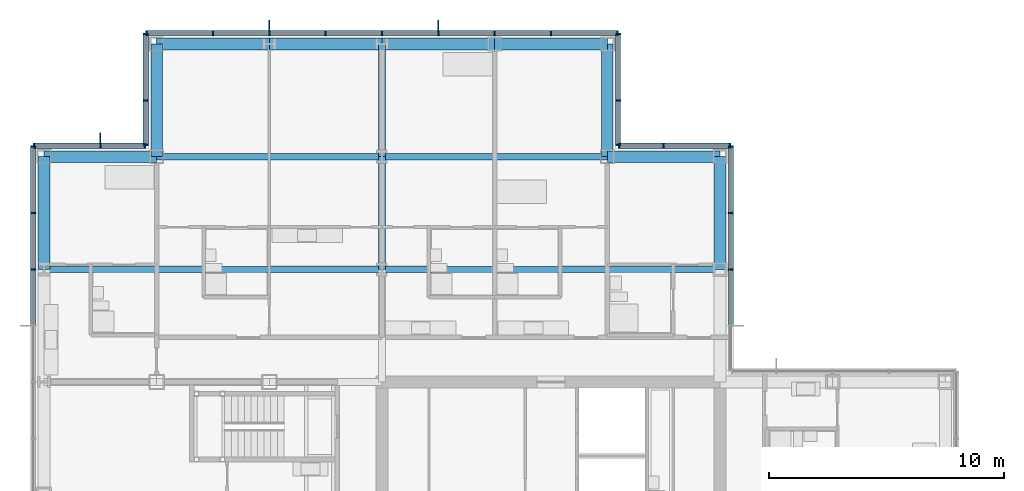
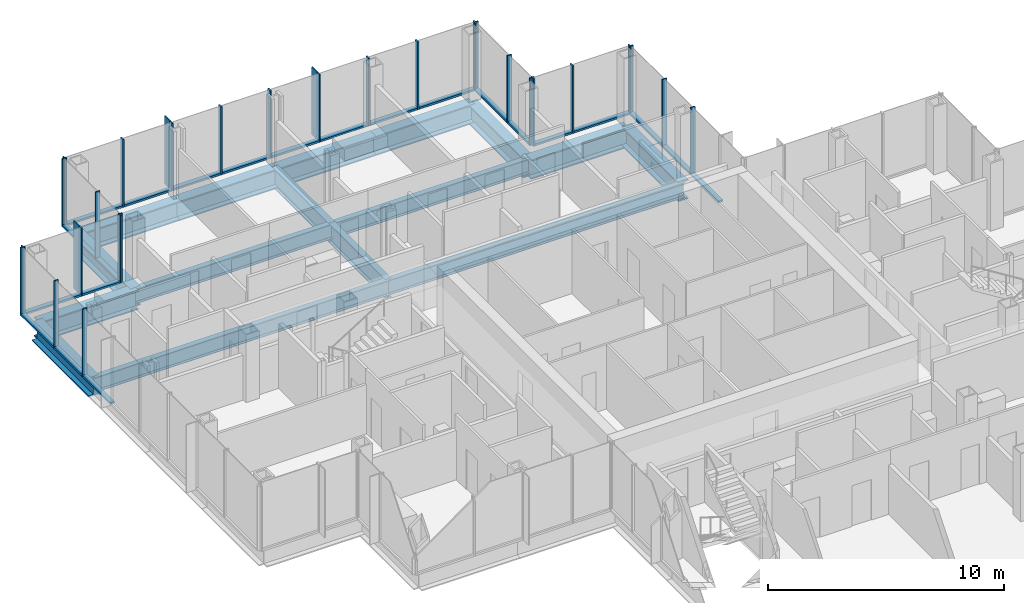
# One storey, part 10 of 19: 52 members, 16 beams, 7 elements without a shape of their own.
"""IFC4 building model written with IfcOpenShell, lengths in metres."""

from ifc_helpers import new_model, si_unit, direction, frame, origin, origin_2d, place, context, subcontext, project, spatial, rectangle, i_section, extrude, material, material_profile, profile_set, type_object, element, aggregate, save


model = new_model("IFC4")

# Units and contexts
model_context = context("Model", 3, precision=1e-05, world=origin(), true_north=direction((0.0, 1.0)))
body_context = subcontext(model_context, "Body", "Model", "MODEL_VIEW")
ifc_project = project(units=[si_unit("LENGTHUNIT", "METRE"), si_unit("AREAUNIT", "SQUARE_METRE"), si_unit("VOLUMEUNIT", "CUBIC_METRE"), si_unit("PLANEANGLEUNIT", "RADIAN"), si_unit("MASSUNIT", "GRAM", prefix="KILO")], contexts=[model_context])

# Site, building, storey
site_placement = place(None, origin())
site = spatial("IfcSite", under=ifc_project, at=site_placement, CompositionType="ELEMENT")
building_placement = place(site_placement, origin())
building = spatial("IfcBuilding", under=site, at=building_placement, Name="Kvirike Care Tower", CompositionType="ELEMENT")
storey_placement = place(building_placement, frame((0.0, 0.0, 98.0)))
storey = spatial("IfcBuildingStorey", under=building, at=storey_placement, Name="L26", CompositionType="ELEMENT", Elevation=98.0)

# Curtain wall, members
ifc_material_1 = material(Name="Anodised aluminium stick system", Category="aluminium")
curtain_wall_type = type_object("IfcCurtainWallType", Name="CW-B STICK CURTAIN WALL", PredefinedType="NOTDEFINED", material=ifc_material_1)
curtain_wall_1_placement = place(storey_placement, origin())
curtain_wall_1 = element("IfcCurtainWall", 1, at=curtain_wall_1_placement, inside=storey, type_object=curtain_wall_type, Name="Curtain wall L26 face 8", PredefinedType="NOTDEFINED")
ifc_material_2 = material(Name="Bronze anodised aluminium fin", Category="aluminium")
ifc_material_profile_1 = material_profile(ifc_material_2, rectangle(XDim=0.050048828125, YDim=0.449951171875, at=origin_2d()), Name="BRONZE FIN 450")
ifc_profile_set_1 = profile_set([ifc_material_profile_1], Name="Bronze anodised aluminium fin")
member_type_1 = type_object("IfcMemberType", Name="BRONZE FIN 450", PredefinedType="USERDEFINED", material=ifc_profile_set_1)
member_1_placement = place(storey_placement, frame((16.800048828125, 58.39501953125, 0.0), z_axis=(0.0, 0.0, 1.0), x_axis=(-1.0, 0.0, 0.0)))
member_1 = element("IfcMember", 2, at=member_1_placement, type_object=member_type_1, Name="Bronze fin L26 face 8.4", ObjectType="FIN", PredefinedType="USERDEFINED", context=body_context, shape_type="SweptSolid", body=[
    extrude(rectangle(XDim=0.050048828125, YDim=0.449951171875, at=origin_2d()), origin(), (0.0, 0.0, 1.0), 3.5),
])
member_2_placement = place(storey_placement, frame((9.60009765625, 58.39501953125, 0.0), z_axis=(0.0, 0.0, 1.0), x_axis=(-1.0, 0.0, 0.0)))
member_2 = element("IfcMember", 3, at=member_2_placement, type_object=member_type_1, Name="Bronze fin L26 face 8.7", ObjectType="FIN", PredefinedType="USERDEFINED", context=body_context, shape_type="SweptSolid", body=[
    extrude(rectangle(XDim=0.050048828125, YDim=0.449951171875, at=origin_2d()), origin(), (0.0, 0.0, 1.0), 3.5),
])

# Curtain wall, member
curtain_wall_2_placement = place(storey_placement, origin())
curtain_wall_2 = element("IfcCurtainWall", 4, at=curtain_wall_2_placement, inside=storey, type_object=curtain_wall_type, Name="Curtain wall L26 face 10", PredefinedType="NOTDEFINED")
member_3_placement = place(storey_placement, frame((2.39990234375, 53.594970703125, 0.0), z_axis=(0.0, 0.0, 1.0), x_axis=(-1.0, 0.0, 0.0)))
member_3 = element("IfcMember", 5, at=member_3_placement, type_object=member_type_1, Name="Bronze fin L26 face 10.2", ObjectType="FIN", PredefinedType="USERDEFINED", context=body_context, shape_type="SweptSolid", body=[
    extrude(rectangle(XDim=0.050048828125, YDim=0.449951171875, at=origin_2d()), origin(), (0.0, 0.0, 1.0), 3.5),
])

# Curtain wall, members
curtain_wall_3_placement = place(storey_placement, origin())
curtain_wall_3 = element("IfcCurtainWall", 6, at=curtain_wall_3_placement, inside=storey, type_object=curtain_wall_type, Name="Curtain wall L26 face 5", PredefinedType="NOTDEFINED")
ifc_material_3 = material(Name="Bronze anodised aluminium mullion", Category="aluminium")
ifc_material_profile_2 = material_profile(ifc_material_3, rectangle(XDim=0.06494140625, YDim=0.219970703125, at=origin_2d()), Name="CW-B MULLION 65x220")
ifc_profile_set_2 = profile_set([ifc_material_profile_2], Name="Bronze anodised aluminium mullion")
member_type_2 = type_object("IfcMemberType", Name="CW-B MULLION 65x220", PredefinedType="MULLION", material=ifc_profile_set_2)
member_4_placement = place(storey_placement, frame((29.260009765625, 48.0, 0.0), z_axis=(0.0, 0.0, 1.0), x_axis=(0.0, 1.0, 0.0)))
member_4 = element("IfcMember", 7, at=member_4_placement, type_object=member_type_2, Name="CW-B mullion L26 face 5.3", PredefinedType="MULLION", context=body_context, shape_type="SweptSolid", body=[
    extrude(rectangle(XDim=0.06494140625, YDim=0.219970703125, at=origin_2d()), origin(), (0.0, 0.0, 1.0), 3.5),
])
member_5_placement = place(storey_placement, frame((29.260009765625, 50.39990234375, 0.0), z_axis=(0.0, 0.0, 1.0), x_axis=(0.0, 1.0, 0.0)))
member_5 = element("IfcMember", 8, at=member_5_placement, type_object=member_type_2, Name="CW-B mullion L26 face 5.4", PredefinedType="MULLION", context=body_context, shape_type="SweptSolid", body=[
    extrude(rectangle(XDim=0.06494140625, YDim=0.219970703125, at=origin_2d()), origin(), (0.0, 0.0, 1.0), 3.5),
])
member_6_placement = place(storey_placement, frame((29.260009765625, 53.2275390625, 0.0), z_axis=(0.0, 0.0, 1.0), x_axis=(0.0, 1.0, 0.0)))
member_6 = element("IfcMember", 9, at=member_6_placement, type_object=member_type_2, Name="CW-B mullion L26 face 5.5", PredefinedType="MULLION", context=body_context, shape_type="SweptSolid", body=[
    extrude(rectangle(XDim=0.06494140625, YDim=0.219970703125, at=origin_2d()), origin(), (0.0, 0.0, 1.0), 3.5),
])

curtain_wall_4_placement = place(storey_placement, origin())
curtain_wall_4 = element("IfcCurtainWall", 10, at=curtain_wall_4_placement, inside=storey, type_object=curtain_wall_type, Name="Curtain wall L26 face 6", PredefinedType="NOTDEFINED")
member_7_placement = place(storey_placement, frame((29.2275390625, 53.260009765625, 0.0), z_axis=(0.0, 0.0, 1.0), x_axis=(-1.0, 0.0, 0.0)))
member_7 = element("IfcMember", 11, at=member_7_placement, type_object=member_type_2, Name="CW-B mullion L26 face 6.1", PredefinedType="MULLION", context=body_context, shape_type="SweptSolid", body=[
    extrude(rectangle(XDim=0.06494140625, YDim=0.219970703125, at=origin_2d()), origin(), (0.0, 0.0, 1.0), 3.5),
])
member_8_placement = place(storey_placement, frame((26.39990234375, 53.260009765625, 0.0), z_axis=(0.0, 0.0, 1.0), x_axis=(-1.0, 0.0, 0.0)))
member_8 = element("IfcMember", 12, at=member_8_placement, type_object=member_type_2, Name="CW-B mullion L26 face 6.2", PredefinedType="MULLION", context=body_context, shape_type="SweptSolid", body=[
    extrude(rectangle(XDim=0.06494140625, YDim=0.219970703125, at=origin_2d()), origin(), (0.0, 0.0, 1.0), 3.5),
])
member_9_placement = place(storey_placement, frame((24.492431640625, 53.260009765625, 0.0), z_axis=(0.0, 0.0, 1.0), x_axis=(-1.0, 0.0, 0.0)))
member_9 = element("IfcMember", 13, at=member_9_placement, type_object=member_type_2, Name="CW-B mullion L26 face 6.3", PredefinedType="MULLION", context=body_context, shape_type="SweptSolid", body=[
    extrude(rectangle(XDim=0.06494140625, YDim=0.219970703125, at=origin_2d()), origin(), (0.0, 0.0, 1.0), 3.5),
])

curtain_wall_5_placement = place(storey_placement, origin())
curtain_wall_5 = element("IfcCurtainWall", 14, at=curtain_wall_5_placement, inside=storey, type_object=curtain_wall_type, Name="Curtain wall L26 face 7", PredefinedType="NOTDEFINED")
member_10_placement = place(storey_placement, frame((24.4599609375, 53.29248046875, 0.0), z_axis=(0.0, 0.0, 1.0), x_axis=(0.0, 1.0, 0.0)))
member_10 = element("IfcMember", 15, at=member_10_placement, type_object=member_type_2, Name="CW-B mullion L26 face 7.1", PredefinedType="MULLION", context=body_context, shape_type="SweptSolid", body=[
    extrude(rectangle(XDim=0.06494140625, YDim=0.219970703125, at=origin_2d()), origin(), (0.0, 0.0, 1.0), 3.5),
])
member_11_placement = place(storey_placement, frame((24.4599609375, 55.199951171875, 0.0), z_axis=(0.0, 0.0, 1.0), x_axis=(0.0, 1.0, 0.0)))
member_11 = element("IfcMember", 16, at=member_11_placement, type_object=member_type_2, Name="CW-B mullion L26 face 7.2", PredefinedType="MULLION", context=body_context, shape_type="SweptSolid", body=[
    extrude(rectangle(XDim=0.06494140625, YDim=0.219970703125, at=origin_2d()), origin(), (0.0, 0.0, 1.0), 3.5),
])
member_12_placement = place(storey_placement, frame((24.4599609375, 58.027587890625, 0.0), z_axis=(0.0, 0.0, 1.0), x_axis=(0.0, 1.0, 0.0)))
member_12 = element("IfcMember", 17, at=member_12_placement, type_object=member_type_2, Name="CW-B mullion L26 face 7.3", PredefinedType="MULLION", context=body_context, shape_type="SweptSolid", body=[
    extrude(rectangle(XDim=0.06494140625, YDim=0.219970703125, at=origin_2d()), origin(), (0.0, 0.0, 1.0), 3.5),
])

# Member
member_13_placement = place(storey_placement, frame((24.427490234375, 58.06005859375, 0.0), z_axis=(0.0, 0.0, 1.0), x_axis=(-1.0, 0.0, 0.0)))
member_13 = element("IfcMember", 18, at=member_13_placement, type_object=member_type_2, Name="CW-B mullion L26 face 8.1", PredefinedType="MULLION", context=body_context, shape_type="SweptSolid", body=[
    extrude(rectangle(XDim=0.06494140625, YDim=0.219970703125, at=origin_2d()), origin(), (0.0, 0.0, 1.0), 3.5),
])

member_14_placement = place(storey_placement, frame((21.60009765625, 58.06005859375, 0.0), z_axis=(0.0, 0.0, 1.0), x_axis=(-1.0, 0.0, 0.0)))
member_14 = element("IfcMember", 19, at=member_14_placement, type_object=member_type_2, Name="CW-B mullion L26 face 8.2", PredefinedType="MULLION", context=body_context, shape_type="SweptSolid", body=[
    extrude(rectangle(XDim=0.06494140625, YDim=0.219970703125, at=origin_2d()), origin(), (0.0, 0.0, 1.0), 3.5),
])

member_15_placement = place(storey_placement, frame((19.199951171875, 58.06005859375, 0.0), z_axis=(0.0, 0.0, 1.0), x_axis=(-1.0, 0.0, 0.0)))
member_15 = element("IfcMember", 20, at=member_15_placement, type_object=member_type_2, Name="CW-B mullion L26 face 8.3", PredefinedType="MULLION", context=body_context, shape_type="SweptSolid", body=[
    extrude(rectangle(XDim=0.06494140625, YDim=0.219970703125, at=origin_2d()), origin(), (0.0, 0.0, 1.0), 3.5),
])

member_16_placement = place(storey_placement, frame((16.800048828125, 58.06005859375, 0.0), z_axis=(0.0, 0.0, 1.0), x_axis=(-1.0, 0.0, 0.0)))
member_16 = element("IfcMember", 21, at=member_16_placement, type_object=member_type_2, Name="CW-B mullion L26 face 8.4", PredefinedType="MULLION", context=body_context, shape_type="SweptSolid", body=[
    extrude(rectangle(XDim=0.06494140625, YDim=0.219970703125, at=origin_2d()), origin(), (0.0, 0.0, 1.0), 3.5),
])

member_17_placement = place(storey_placement, frame((14.39990234375, 58.06005859375, 0.0), z_axis=(0.0, 0.0, 1.0), x_axis=(-1.0, 0.0, 0.0)))
member_17 = element("IfcMember", 22, at=member_17_placement, type_object=member_type_2, Name="CW-B mullion L26 face 8.5", PredefinedType="MULLION", context=body_context, shape_type="SweptSolid", body=[
    extrude(rectangle(XDim=0.06494140625, YDim=0.219970703125, at=origin_2d()), origin(), (0.0, 0.0, 1.0), 3.5),
])

member_18_placement = place(storey_placement, frame((12.0, 58.06005859375, 0.0), z_axis=(0.0, 0.0, 1.0), x_axis=(-1.0, 0.0, 0.0)))
member_18 = element("IfcMember", 23, at=member_18_placement, type_object=member_type_2, Name="CW-B mullion L26 face 8.6", PredefinedType="MULLION", context=body_context, shape_type="SweptSolid", body=[
    extrude(rectangle(XDim=0.06494140625, YDim=0.219970703125, at=origin_2d()), origin(), (0.0, 0.0, 1.0), 3.5),
])

member_19_placement = place(storey_placement, frame((9.60009765625, 58.06005859375, 0.0), z_axis=(0.0, 0.0, 1.0), x_axis=(-1.0, 0.0, 0.0)))
member_19 = element("IfcMember", 24, at=member_19_placement, type_object=member_type_2, Name="CW-B mullion L26 face 8.7", PredefinedType="MULLION", context=body_context, shape_type="SweptSolid", body=[
    extrude(rectangle(XDim=0.06494140625, YDim=0.219970703125, at=origin_2d()), origin(), (0.0, 0.0, 1.0), 3.5),
])

member_20_placement = place(storey_placement, frame((7.199951171875, 58.06005859375, 0.0), z_axis=(0.0, 0.0, 1.0), x_axis=(-1.0, 0.0, 0.0)))
member_20 = element("IfcMember", 25, at=member_20_placement, type_object=member_type_2, Name="CW-B mullion L26 face 8.8", PredefinedType="MULLION", context=body_context, shape_type="SweptSolid", body=[
    extrude(rectangle(XDim=0.06494140625, YDim=0.219970703125, at=origin_2d()), origin(), (0.0, 0.0, 1.0), 3.5),
])

member_21_placement = place(storey_placement, frame((4.37255859375, 58.06005859375, 0.0), z_axis=(0.0, 0.0, 1.0), x_axis=(-1.0, 0.0, 0.0)))
member_21 = element("IfcMember", 26, at=member_21_placement, type_object=member_type_2, Name="CW-B mullion L26 face 8.9", PredefinedType="MULLION", context=body_context, shape_type="SweptSolid", body=[
    extrude(rectangle(XDim=0.06494140625, YDim=0.219970703125, at=origin_2d()), origin(), (0.0, 0.0, 1.0), 3.5),
])

# Curtain wall, members
curtain_wall_6_placement = place(storey_placement, origin())
curtain_wall_6 = element("IfcCurtainWall", 27, at=curtain_wall_6_placement, inside=storey, type_object=curtain_wall_type, Name="Curtain wall L26 face 9", PredefinedType="NOTDEFINED")
member_22_placement = place(storey_placement, frame((4.340087890625, 58.027587890625, 0.0), z_axis=(0.0, 0.0, 1.0), x_axis=(0.0, -1.0, 0.0)))
member_22 = element("IfcMember", 28, at=member_22_placement, type_object=member_type_2, Name="CW-B mullion L26 face 9.1", PredefinedType="MULLION", context=body_context, shape_type="SweptSolid", body=[
    extrude(rectangle(XDim=0.06494140625, YDim=0.219970703125, at=origin_2d()), origin(), (0.0, 0.0, 1.0), 3.5),
])
member_23_placement = place(storey_placement, frame((4.340087890625, 55.199951171875, 0.0), z_axis=(0.0, 0.0, 1.0), x_axis=(0.0, -1.0, 0.0)))
member_23 = element("IfcMember", 29, at=member_23_placement, type_object=member_type_2, Name="CW-B mullion L26 face 9.2", PredefinedType="MULLION", context=body_context, shape_type="SweptSolid", body=[
    extrude(rectangle(XDim=0.06494140625, YDim=0.219970703125, at=origin_2d()), origin(), (0.0, 0.0, 1.0), 3.5),
])
member_24_placement = place(storey_placement, frame((4.340087890625, 53.29248046875, 0.0), z_axis=(0.0, 0.0, 1.0), x_axis=(0.0, -1.0, 0.0)))
member_24 = element("IfcMember", 30, at=member_24_placement, type_object=member_type_2, Name="CW-B mullion L26 face 9.3", PredefinedType="MULLION", context=body_context, shape_type="SweptSolid", body=[
    extrude(rectangle(XDim=0.06494140625, YDim=0.219970703125, at=origin_2d()), origin(), (0.0, 0.0, 1.0), 3.5),
])

# Member
member_25_placement = place(storey_placement, frame((4.3076171875, 53.260009765625, 0.0), z_axis=(0.0, 0.0, 1.0), x_axis=(-1.0, 0.0, 0.0)))
member_25 = element("IfcMember", 31, at=member_25_placement, type_object=member_type_2, Name="CW-B mullion L26 face 10.1", PredefinedType="MULLION", context=body_context, shape_type="SweptSolid", body=[
    extrude(rectangle(XDim=0.06494140625, YDim=0.219970703125, at=origin_2d()), origin(), (0.0, 0.0, 1.0), 3.5),
])

member_26_placement = place(storey_placement, frame((2.39990234375, 53.260009765625, 0.0), z_axis=(0.0, 0.0, 1.0), x_axis=(-1.0, 0.0, 0.0)))
member_26 = element("IfcMember", 32, at=member_26_placement, type_object=member_type_2, Name="CW-B mullion L26 face 10.2", PredefinedType="MULLION", context=body_context, shape_type="SweptSolid", body=[
    extrude(rectangle(XDim=0.06494140625, YDim=0.219970703125, at=origin_2d()), origin(), (0.0, 0.0, 1.0), 3.5),
])

member_27_placement = place(storey_placement, frame((-0.427490234375, 53.260009765625, 0.0), z_axis=(0.0, 0.0, 1.0), x_axis=(-1.0, 0.0, 0.0)))
member_27 = element("IfcMember", 33, at=member_27_placement, type_object=member_type_2, Name="CW-B mullion L26 face 10.3", PredefinedType="MULLION", context=body_context, shape_type="SweptSolid", body=[
    extrude(rectangle(XDim=0.06494140625, YDim=0.219970703125, at=origin_2d()), origin(), (0.0, 0.0, 1.0), 3.5),
])

# Curtain wall, members
curtain_wall_7_placement = place(storey_placement, origin())
curtain_wall_7 = element("IfcCurtainWall", 34, at=curtain_wall_7_placement, inside=storey, type_object=curtain_wall_type, Name="Curtain wall L26 face 11", PredefinedType="NOTDEFINED")
member_28_placement = place(storey_placement, frame((-0.4599609375, 53.2275390625, 0.0), z_axis=(0.0, 0.0, 1.0), x_axis=(0.0, -1.0, 0.0)))
member_28 = element("IfcMember", 35, at=member_28_placement, type_object=member_type_2, Name="CW-B mullion L26 face 11.1", PredefinedType="MULLION", context=body_context, shape_type="SweptSolid", body=[
    extrude(rectangle(XDim=0.06494140625, YDim=0.219970703125, at=origin_2d()), origin(), (0.0, 0.0, 1.0), 3.5),
])
member_29_placement = place(storey_placement, frame((-0.4599609375, 50.39990234375, 0.0), z_axis=(0.0, 0.0, 1.0), x_axis=(0.0, -1.0, 0.0)))
member_29 = element("IfcMember", 36, at=member_29_placement, type_object=member_type_2, Name="CW-B mullion L26 face 11.2", PredefinedType="MULLION", context=body_context, shape_type="SweptSolid", body=[
    extrude(rectangle(XDim=0.06494140625, YDim=0.219970703125, at=origin_2d()), origin(), (0.0, 0.0, 1.0), 3.5),
])
member_30_placement = place(storey_placement, frame((-0.4599609375, 48.0, 0.0), z_axis=(0.0, 0.0, 1.0), x_axis=(0.0, -1.0, 0.0)))
member_30 = element("IfcMember", 37, at=member_30_placement, type_object=member_type_2, Name="CW-B mullion L26 face 11.3", PredefinedType="MULLION", context=body_context, shape_type="SweptSolid", body=[
    extrude(rectangle(XDim=0.06494140625, YDim=0.219970703125, at=origin_2d()), origin(), (0.0, 0.0, 1.0), 3.5),
])

# Member
ifc_material_4 = material(Name="Bronze anodised aluminium transom", Category="aluminium")
ifc_material_profile_3 = material_profile(ifc_material_4, rectangle(XDim=0.219970703125, YDim=0.10009765625, at=origin_2d()), Name="CW-B TRANSOM 220x100")
ifc_profile_set_3 = profile_set([ifc_material_profile_3], Name="Bronze anodised aluminium transom")
member_type_3 = type_object("IfcMemberType", Name="CW-B TRANSOM 220x100", PredefinedType="USERDEFINED", material=ifc_profile_set_3)
member_31_placement = place(storey_placement, frame((29.260009765625, 45.632568359375, 0.050048828125), z_axis=(0.0, 1.0, 0.0), x_axis=(-1.0, 0.0, 0.0)))
member_31 = element("IfcMember", 38, at=member_31_placement, type_object=member_type_3, Name="CW-B sill transom L26 face 5.2", ObjectType="TRANSOM", PredefinedType="USERDEFINED", context=body_context, shape_type="SweptSolid", body=[
    extrude(rectangle(XDim=0.219970703125, YDim=0.10009765625, at=origin_2d()), origin(), (0.0, 0.0, 1.0), 2.3349609375),
])

member_32_placement = place(storey_placement, frame((29.260009765625, 48.032470703125, 0.050048828125), z_axis=(0.0, 1.0, 0.0), x_axis=(-1.0, 0.0, 0.0)))
member_32 = element("IfcMember", 39, at=member_32_placement, type_object=member_type_3, Name="CW-B sill transom L26 face 5.3", ObjectType="TRANSOM", PredefinedType="USERDEFINED", context=body_context, shape_type="SweptSolid", body=[
    extrude(rectangle(XDim=0.219970703125, YDim=0.10009765625, at=origin_2d()), origin(), (0.0, 0.0, 1.0), 2.3349609375),
])

member_33_placement = place(storey_placement, frame((29.260009765625, 50.4326171875, 0.050048828125), z_axis=(0.0, 1.0, 0.0), x_axis=(-1.0, 0.0, 0.0)))
member_33 = element("IfcMember", 40, at=member_33_placement, type_object=member_type_3, Name="CW-B sill transom L26 face 5.4", ObjectType="TRANSOM", PredefinedType="USERDEFINED", context=body_context, shape_type="SweptSolid", body=[
    extrude(rectangle(XDim=0.219970703125, YDim=0.10009765625, at=origin_2d()), origin(), (0.0, 0.0, 1.0), 2.762451171875),
])

aggregate(curtain_wall_3, [member_4, member_5, member_6, member_31, member_32, member_33])

member_34_placement = place(storey_placement, frame((29.195068359375, 53.260009765625, 0.050048828125), z_axis=(-1.0, 0.0, 0.0), x_axis=(0.0, -1.0, 0.0)))
member_34 = element("IfcMember", 41, at=member_34_placement, type_object=member_type_3, Name="CW-B sill transom L26 face 6.1", ObjectType="TRANSOM", PredefinedType="USERDEFINED", context=body_context, shape_type="SweptSolid", body=[
    extrude(rectangle(XDim=0.219970703125, YDim=0.10009765625, at=origin_2d()), origin(), (0.0, 0.0, 1.0), 2.762451171875),
])

member_35_placement = place(storey_placement, frame((26.367431640625, 53.260009765625, 0.050048828125), z_axis=(-1.0, 0.0, 0.0), x_axis=(0.0, -1.0, 0.0)))
member_35 = element("IfcMember", 42, at=member_35_placement, type_object=member_type_3, Name="CW-B sill transom L26 face 6.2", ObjectType="TRANSOM", PredefinedType="USERDEFINED", context=body_context, shape_type="SweptSolid", body=[
    extrude(rectangle(XDim=0.219970703125, YDim=0.10009765625, at=origin_2d()), origin(), (0.0, 0.0, 1.0), 1.842529296875),
])

aggregate(curtain_wall_4, [member_7, member_8, member_9, member_34, member_35])

member_36_placement = place(storey_placement, frame((24.4599609375, 53.324951171875, 0.050048828125), z_axis=(0.0, 1.0, 0.0), x_axis=(-1.0, 0.0, 0.0)))
member_36 = element("IfcMember", 43, at=member_36_placement, type_object=member_type_3, Name="CW-B sill transom L26 face 7.1", ObjectType="TRANSOM", PredefinedType="USERDEFINED", context=body_context, shape_type="SweptSolid", body=[
    extrude(rectangle(XDim=0.219970703125, YDim=0.10009765625, at=origin_2d()), origin(), (0.0, 0.0, 1.0), 1.842529296875),
])

member_37_placement = place(storey_placement, frame((24.4599609375, 55.232421875, 0.050048828125), z_axis=(0.0, 1.0, 0.0), x_axis=(-1.0, 0.0, 0.0)))
member_37 = element("IfcMember", 44, at=member_37_placement, type_object=member_type_3, Name="CW-B sill transom L26 face 7.2", ObjectType="TRANSOM", PredefinedType="USERDEFINED", context=body_context, shape_type="SweptSolid", body=[
    extrude(rectangle(XDim=0.219970703125, YDim=0.10009765625, at=origin_2d()), origin(), (0.0, 0.0, 1.0), 2.7626953125),
])

aggregate(curtain_wall_5, [member_10, member_11, member_12, member_36, member_37])

member_38_placement = place(storey_placement, frame((24.39501953125, 58.06005859375, 0.050048828125), z_axis=(-1.0, 0.0, 0.0), x_axis=(0.0, -1.0, 0.0)))
member_38 = element("IfcMember", 45, at=member_38_placement, type_object=member_type_3, Name="CW-B sill transom L26 face 8.1", ObjectType="TRANSOM", PredefinedType="USERDEFINED", context=body_context, shape_type="SweptSolid", body=[
    extrude(rectangle(XDim=0.219970703125, YDim=0.10009765625, at=origin_2d()), origin(), (0.0, 0.0, 1.0), 2.762451171875),
])

member_39_placement = place(storey_placement, frame((21.5673828125, 58.06005859375, 0.050048828125), z_axis=(-1.0, 0.0, 0.0), x_axis=(0.0, -1.0, 0.0)))
member_39 = element("IfcMember", 46, at=member_39_placement, type_object=member_type_3, Name="CW-B sill transom L26 face 8.2", ObjectType="TRANSOM", PredefinedType="USERDEFINED", context=body_context, shape_type="SweptSolid", body=[
    extrude(rectangle(XDim=0.219970703125, YDim=0.10009765625, at=origin_2d()), origin(), (0.0, 0.0, 1.0), 2.3349609375),
])

member_40_placement = place(storey_placement, frame((19.16748046875, 58.06005859375, 0.050048828125), z_axis=(-1.0, 0.0, 0.0), x_axis=(0.0, -1.0, 0.0)))
member_40 = element("IfcMember", 47, at=member_40_placement, type_object=member_type_3, Name="CW-B sill transom L26 face 8.3", ObjectType="TRANSOM", PredefinedType="USERDEFINED", context=body_context, shape_type="SweptSolid", body=[
    extrude(rectangle(XDim=0.219970703125, YDim=0.10009765625, at=origin_2d()), origin(), (0.0, 0.0, 1.0), 2.3349609375),
])

member_41_placement = place(storey_placement, frame((16.767578125, 58.06005859375, 0.050048828125), z_axis=(-1.0, 0.0, 0.0), x_axis=(0.0, -1.0, 0.0)))
member_41 = element("IfcMember", 48, at=member_41_placement, type_object=member_type_3, Name="CW-B sill transom L26 face 8.4", ObjectType="TRANSOM", PredefinedType="USERDEFINED", context=body_context, shape_type="SweptSolid", body=[
    extrude(rectangle(XDim=0.219970703125, YDim=0.10009765625, at=origin_2d()), origin(), (0.0, 0.0, 1.0), 2.3349609375),
])

member_42_placement = place(storey_placement, frame((14.367431640625, 58.06005859375, 0.050048828125), z_axis=(-1.0, 0.0, 0.0), x_axis=(0.0, -1.0, 0.0)))
member_42 = element("IfcMember", 49, at=member_42_placement, type_object=member_type_3, Name="CW-B sill transom L26 face 8.5", ObjectType="TRANSOM", PredefinedType="USERDEFINED", context=body_context, shape_type="SweptSolid", body=[
    extrude(rectangle(XDim=0.219970703125, YDim=0.10009765625, at=origin_2d()), origin(), (0.0, 0.0, 1.0), 2.3349609375),
])

member_43_placement = place(storey_placement, frame((11.967529296875, 58.06005859375, 0.050048828125), z_axis=(-1.0, 0.0, 0.0), x_axis=(0.0, -1.0, 0.0)))
member_43 = element("IfcMember", 50, at=member_43_placement, type_object=member_type_3, Name="CW-B sill transom L26 face 8.6", ObjectType="TRANSOM", PredefinedType="USERDEFINED", context=body_context, shape_type="SweptSolid", body=[
    extrude(rectangle(XDim=0.219970703125, YDim=0.10009765625, at=origin_2d()), origin(), (0.0, 0.0, 1.0), 2.3349609375),
])

member_44_placement = place(storey_placement, frame((9.5673828125, 58.06005859375, 0.050048828125), z_axis=(-1.0, 0.0, 0.0), x_axis=(0.0, -1.0, 0.0)))
member_44 = element("IfcMember", 51, at=member_44_placement, type_object=member_type_3, Name="CW-B sill transom L26 face 8.7", ObjectType="TRANSOM", PredefinedType="USERDEFINED", context=body_context, shape_type="SweptSolid", body=[
    extrude(rectangle(XDim=0.219970703125, YDim=0.10009765625, at=origin_2d()), origin(), (0.0, 0.0, 1.0), 2.3349609375),
])

member_45_placement = place(storey_placement, frame((7.16748046875, 58.06005859375, 0.050048828125), z_axis=(-1.0, 0.0, 0.0), x_axis=(0.0, -1.0, 0.0)))
member_45 = element("IfcMember", 52, at=member_45_placement, type_object=member_type_3, Name="CW-B sill transom L26 face 8.8", ObjectType="TRANSOM", PredefinedType="USERDEFINED", context=body_context, shape_type="SweptSolid", body=[
    extrude(rectangle(XDim=0.219970703125, YDim=0.10009765625, at=origin_2d()), origin(), (0.0, 0.0, 1.0), 2.762451171875),
])

aggregate(curtain_wall_1, [member_13, member_14, member_15, member_16, member_1, member_17, member_18, member_19, member_2, member_20, member_21, member_38, member_39, member_40, member_41, member_42, member_43, member_44, member_45])

member_46_placement = place(storey_placement, frame((4.340087890625, 57.9951171875, 0.050048828125), z_axis=(0.0, -1.0, 0.0), x_axis=(1.0, 0.0, 0.0)))
member_46 = element("IfcMember", 53, at=member_46_placement, type_object=member_type_3, Name="CW-B sill transom L26 face 9.1", ObjectType="TRANSOM", PredefinedType="USERDEFINED", context=body_context, shape_type="SweptSolid", body=[
    extrude(rectangle(XDim=0.219970703125, YDim=0.10009765625, at=origin_2d()), origin(), (0.0, 0.0, 1.0), 2.7626953125),
])

member_47_placement = place(storey_placement, frame((4.340087890625, 55.16748046875, 0.050048828125), z_axis=(0.0, -1.0, 0.0), x_axis=(1.0, 0.0, 0.0)))
member_47 = element("IfcMember", 54, at=member_47_placement, type_object=member_type_3, Name="CW-B sill transom L26 face 9.2", ObjectType="TRANSOM", PredefinedType="USERDEFINED", context=body_context, shape_type="SweptSolid", body=[
    extrude(rectangle(XDim=0.219970703125, YDim=0.10009765625, at=origin_2d()), origin(), (0.0, 0.0, 1.0), 1.842529296875),
])

aggregate(curtain_wall_6, [member_22, member_23, member_24, member_46, member_47])

member_48_placement = place(storey_placement, frame((4.27490234375, 53.260009765625, 0.050048828125), z_axis=(-1.0, 0.0, 0.0), x_axis=(0.0, -1.0, 0.0)))
member_48 = element("IfcMember", 55, at=member_48_placement, type_object=member_type_3, Name="CW-B sill transom L26 face 10.1", ObjectType="TRANSOM", PredefinedType="USERDEFINED", context=body_context, shape_type="SweptSolid", body=[
    extrude(rectangle(XDim=0.219970703125, YDim=0.10009765625, at=origin_2d()), origin(), (0.0, 0.0, 1.0), 1.84228515625),
])

member_49_placement = place(storey_placement, frame((2.367431640625, 53.260009765625, 0.050048828125), z_axis=(-1.0, 0.0, 0.0), x_axis=(0.0, -1.0, 0.0)))
member_49 = element("IfcMember", 56, at=member_49_placement, type_object=member_type_3, Name="CW-B sill transom L26 face 10.2", ObjectType="TRANSOM", PredefinedType="USERDEFINED", context=body_context, shape_type="SweptSolid", body=[
    extrude(rectangle(XDim=0.219970703125, YDim=0.10009765625, at=origin_2d()), origin(), (0.0, 0.0, 1.0), 2.762451171875),
])

aggregate(curtain_wall_2, [member_25, member_26, member_3, member_27, member_48, member_49])

member_50_placement = place(storey_placement, frame((-0.4599609375, 53.195068359375, 0.050048828125), z_axis=(0.0, -1.0, 0.0), x_axis=(1.0, 0.0, 0.0)))
member_50 = element("IfcMember", 57, at=member_50_placement, type_object=member_type_3, Name="CW-B sill transom L26 face 11.1", ObjectType="TRANSOM", PredefinedType="USERDEFINED", context=body_context, shape_type="SweptSolid", body=[
    extrude(rectangle(XDim=0.219970703125, YDim=0.10009765625, at=origin_2d()), origin(), (0.0, 0.0, 1.0), 2.762451171875),
])

member_51_placement = place(storey_placement, frame((-0.4599609375, 50.367431640625, 0.050048828125), z_axis=(0.0, -1.0, 0.0), x_axis=(1.0, 0.0, 0.0)))
member_51 = element("IfcMember", 58, at=member_51_placement, type_object=member_type_3, Name="CW-B sill transom L26 face 11.2", ObjectType="TRANSOM", PredefinedType="USERDEFINED", context=body_context, shape_type="SweptSolid", body=[
    extrude(rectangle(XDim=0.219970703125, YDim=0.10009765625, at=origin_2d()), origin(), (0.0, 0.0, 1.0), 2.3349609375),
])

member_52_placement = place(storey_placement, frame((-0.4599609375, 47.967529296875, 0.050048828125), z_axis=(0.0, -1.0, 0.0), x_axis=(1.0, 0.0, 0.0)))
member_52 = element("IfcMember", 59, at=member_52_placement, type_object=member_type_3, Name="CW-B sill transom L26 face 11.3", ObjectType="TRANSOM", PredefinedType="USERDEFINED", context=body_context, shape_type="SweptSolid", body=[
    extrude(rectangle(XDim=0.219970703125, YDim=0.10009765625, at=origin_2d()), origin(), (0.0, 0.0, 1.0), 2.3349609375),
])

aggregate(curtain_wall_7, [member_28, member_29, member_30, member_50, member_51, member_52])

# Beams
ifc_material_5 = material(Name="Steel S355", Category="steel")
ifc_material_profile_4 = material_profile(ifc_material_5, i_section(OverallWidth=0.26806640625, OverallDepth=0.77001953125, WebThickness=0.015625, FlangeThickness=0.025390625, FilletRadius=0.01708984375, at=origin_2d()), Name="IPE 750x196")
ifc_profile_set_4 = profile_set([ifc_material_profile_4], Name="Steel S355")
beam_type_1 = type_object("IfcBeamType", Name="FLOOR BEAM IPE 750x196", PredefinedType="BEAM", material=ifc_profile_set_4)
beam_1_placement = place(storey_placement, frame((0.0, 48.0, -0.554931640625), z_axis=(1.0, 0.0, 0.0), x_axis=(0.0, 1.0, 0.0)))
element("IfcBeam", 60, at=beam_1_placement, inside=storey, type_object=beam_type_1, Name="Floor Beam L3-L6 L26", PredefinedType="BEAM", context=body_context, shape_type="SweptSolid", body=[
    extrude(i_section(OverallWidth=0.26806640625, OverallDepth=0.77001953125, WebThickness=0.015625, FlangeThickness=0.025390625, FilletRadius=0.01708984375, at=origin_2d()), origin(), (0.0, 0.0, 1.0), 14.39990234375),
])
beam_2_placement = place(storey_placement, frame((14.39990234375, 48.0, -0.554931640625), z_axis=(1.0, 0.0, 0.0), x_axis=(0.0, 1.0, 0.0)))
element("IfcBeam", 61, at=beam_2_placement, inside=storey, type_object=beam_type_1, Name="Floor Beam L6-L9 L26", PredefinedType="BEAM", context=body_context, shape_type="SweptSolid", body=[
    extrude(i_section(OverallWidth=0.26806640625, OverallDepth=0.77001953125, WebThickness=0.015625, FlangeThickness=0.025390625, FilletRadius=0.01708984375, at=origin_2d()), origin(), (0.0, 0.0, 1.0), 14.400146484375),
])
beam_3_placement = place(storey_placement, frame((4.800048828125, 52.800048828125, -0.554931640625), z_axis=(1.0, 0.0, 0.0), x_axis=(0.0, 1.0, 0.0)))
element("IfcBeam", 62, at=beam_3_placement, inside=storey, type_object=beam_type_1, Name="Floor Beam M4-M6 L26", PredefinedType="BEAM", context=body_context, shape_type="SweptSolid", body=[
    extrude(i_section(OverallWidth=0.26806640625, OverallDepth=0.77001953125, WebThickness=0.015625, FlangeThickness=0.025390625, FilletRadius=0.01708984375, at=origin_2d()), origin(), (0.0, 0.0, 1.0), 9.599853515625),
])
beam_4_placement = place(storey_placement, frame((14.39990234375, 52.800048828125, -0.554931640625), z_axis=(1.0, 0.0, 0.0), x_axis=(0.0, 1.0, 0.0)))
element("IfcBeam", 63, at=beam_4_placement, inside=storey, type_object=beam_type_1, Name="Floor Beam M6-M8 L26", PredefinedType="BEAM", context=body_context, shape_type="SweptSolid", body=[
    extrude(i_section(OverallWidth=0.26806640625, OverallDepth=0.77001953125, WebThickness=0.015625, FlangeThickness=0.025390625, FilletRadius=0.01708984375, at=origin_2d()), origin(), (0.0, 0.0, 1.0), 9.60009765625),
])
ifc_material_6 = material(Name="Steel S355", Category="steel")
ifc_material_profile_5 = material_profile(ifc_material_6, i_section(OverallWidth=0.300048828125, OverallDepth=1.0, WebThickness=0.01904296875, FlangeThickness=0.035888671875, FilletRadius=0.030029296875, at=origin_2d()), Name="HE 1000 B")
ifc_profile_set_5 = profile_set([ifc_material_profile_5], Name="Steel S355")
beam_type_2 = type_object("IfcBeamType", Name="FRAME BEAM HE 1000 B", PredefinedType="BEAM", material=ifc_profile_set_5)
for number, where, z_axis, x_axis, name in (
    (64, (14.39990234375, 48.0, -0.669921875), (0.0, 1.0, 0.0), (-1.0, 0.0, 0.0), "Frame Beam L6-M6 L26"),
    (65, (14.39990234375, 52.800048828125, -0.669921875), (0.0, 1.0, 0.0), (-1.0, 0.0, 0.0), "Frame Beam M6-N6 L26"),
):
    element("IfcBeam", number, at=place(storey_placement, frame(where, z_axis=z_axis, x_axis=x_axis)), inside=storey, type_object=beam_type_2, Name=name, PredefinedType="BEAM", context=body_context, shape_type="SweptSolid", body=[
        extrude(i_section(OverallWidth=0.300048828125, OverallDepth=1.0, WebThickness=0.01904296875, FlangeThickness=0.035888671875, FilletRadius=0.030029296875, at=origin_2d()), origin(), (0.0, 0.0, 1.0), 4.800048828125),
    ])
ifc_material_7 = material(Name="Steel S355", Category="steel")
ifc_material_profile_6 = material_profile(ifc_material_7, i_section(OverallWidth=0.5, OverallDepth=1.0, WebThickness=0.030029296875, FlangeThickness=0.06005859375, at=origin_2d()), Name="PG 1000x500x30x60")
ifc_profile_set_6 = profile_set([ifc_material_profile_6], Name="Steel S355")
beam_type_3 = type_object("IfcBeamType", Name="SPANDREL PG 1000x500x30x60", PredefinedType="SPANDREL", material=ifc_profile_set_6)
for number, where, z_axis, x_axis, name in (
    (66, (0.0, 52.800048828125, -0.669921875), (1.0, 0.0, 0.0), (0.0, 1.0, 0.0), "Spandrel M3-M4 L26"),
    (67, (24.0, 52.800048828125, -0.669921875), (1.0, 0.0, 0.0), (0.0, 1.0, 0.0), "Spandrel M8-M9 L26"),
    (68, (4.800048828125, 57.60009765625, -0.669921875), (1.0, 0.0, 0.0), (0.0, 1.0, 0.0), "Spandrel N4-N5 L26"),
):
    element("IfcBeam", number, at=place(storey_placement, frame(where, z_axis=z_axis, x_axis=x_axis)), inside=storey, type_object=beam_type_3, Name=name, PredefinedType="SPANDREL", context=body_context, shape_type="SweptSolid", body=[
        extrude(i_section(OverallWidth=0.5, OverallDepth=1.0, WebThickness=0.030029296875, FlangeThickness=0.06005859375, at=origin_2d()), origin(), (0.0, 0.0, 1.0), 4.800048828125),
    ])
beam_5_placement = place(storey_placement, frame((9.60009765625, 57.60009765625, -0.669921875), z_axis=(1.0, 0.0, 0.0), x_axis=(0.0, 1.0, 0.0)))
element("IfcBeam", 69, at=beam_5_placement, inside=storey, type_object=beam_type_3, Name="Spandrel N5-N6 L26", PredefinedType="SPANDREL", context=body_context, shape_type="SweptSolid", body=[
    extrude(i_section(OverallWidth=0.5, OverallDepth=1.0, WebThickness=0.030029296875, FlangeThickness=0.06005859375, at=origin_2d()), origin(), (0.0, 0.0, 1.0), 4.7998046875),
])
for number, where, z_axis, x_axis, name in (
    (70, (14.39990234375, 57.60009765625, -0.669921875), (1.0, 0.0, 0.0), (0.0, 1.0, 0.0), "Spandrel N6-N7 L26"),
    (71, (19.199951171875, 57.60009765625, -0.669921875), (1.0, 0.0, 0.0), (0.0, 1.0, 0.0), "Spandrel N7-N8 L26"),
    (72, (0.0, 48.0, -0.669921875), (0.0, 1.0, 0.0), (-1.0, 0.0, 0.0), "Spandrel L3-M3 L26"),
    (73, (4.800048828125, 52.800048828125, -0.669921875), (0.0, 1.0, 0.0), (-1.0, 0.0, 0.0), "Spandrel M4-N4 L26"),
    (74, (24.0, 52.800048828125, -0.669921875), (0.0, 1.0, 0.0), (-1.0, 0.0, 0.0), "Spandrel M8-N8 L26"),
    (75, (28.800048828125, 48.0, -0.669921875), (0.0, 1.0, 0.0), (-1.0, 0.0, 0.0), "Spandrel L9-M9 L26"),
):
    element("IfcBeam", number, at=place(storey_placement, frame(where, z_axis=z_axis, x_axis=x_axis)), inside=storey, type_object=beam_type_3, Name=name, PredefinedType="SPANDREL", context=body_context, shape_type="SweptSolid", body=[
        extrude(i_section(OverallWidth=0.5, OverallDepth=1.0, WebThickness=0.030029296875, FlangeThickness=0.06005859375, at=origin_2d()), origin(), (0.0, 0.0, 1.0), 4.800048828125),
    ])

save(model, "model.ifc")
